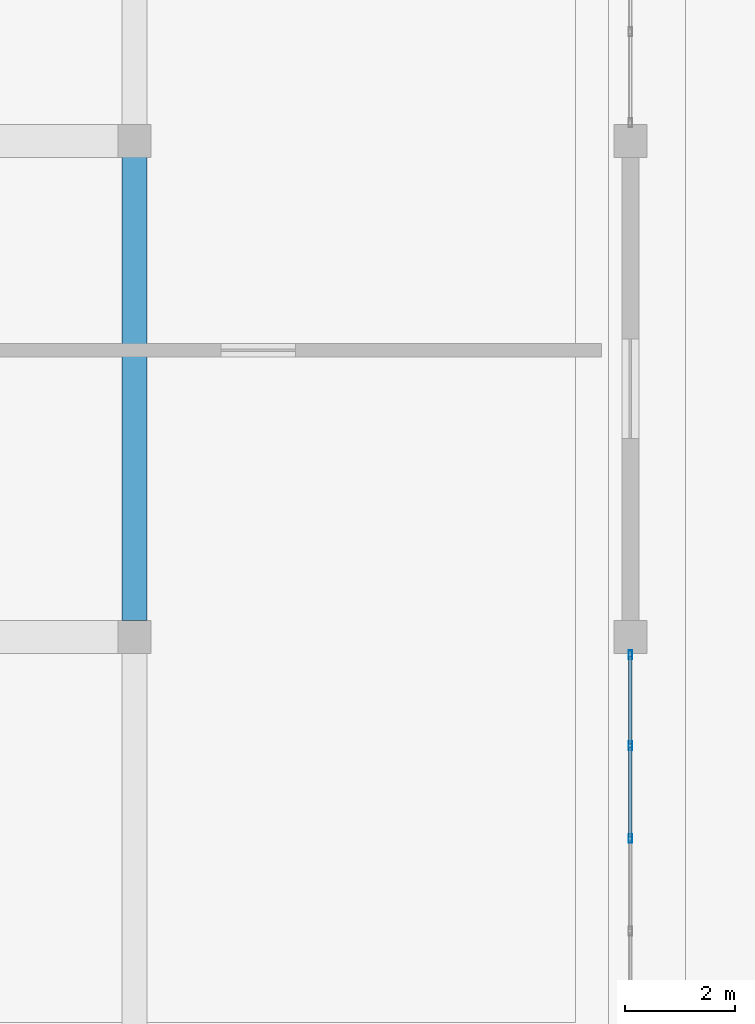
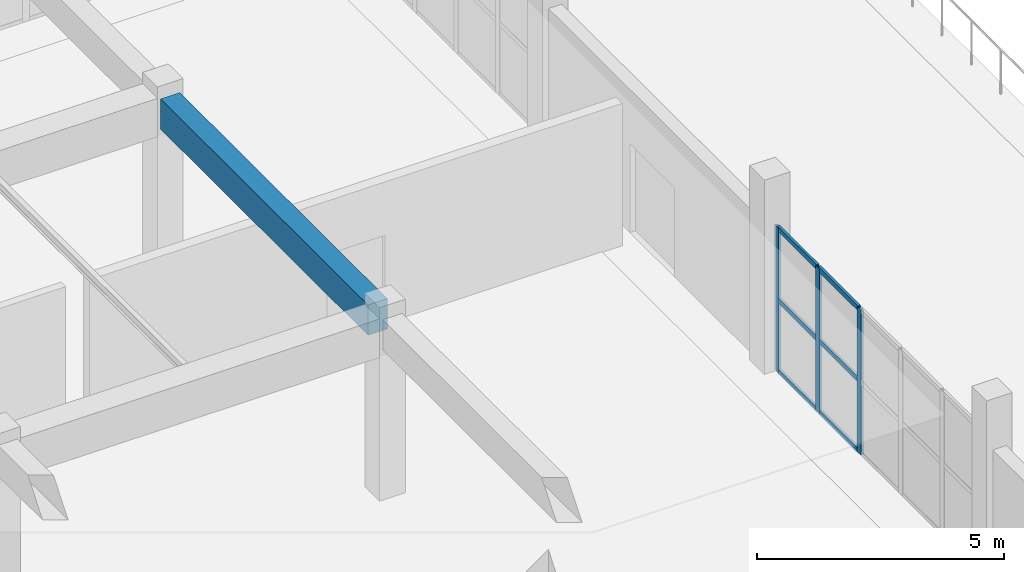
# One storey, part 29 of 89: 9 members, 1 beam, 1 element without a shape of its own.
"""IFC4 building model written with IfcOpenShell, lengths in metres."""

from ifc_helpers import new_model, si_unit, direction, frame, origin, origin_2d, place, context, subcontext, project, spatial, rectangle, hollow_rectangle, extrude, material, layer, layer_set, material_profile, profile_set, type_object, element, aggregate, save


model = new_model("IFC4")

# Units and contexts
model_context = context("Model", 3, precision=1e-05, world=origin(), true_north=direction((0.0, 1.0)))
body_context = subcontext(model_context, "Body", "Model", "MODEL_VIEW")
ifc_project = project(units=[si_unit("LENGTHUNIT", "METRE"), si_unit("AREAUNIT", "SQUARE_METRE"), si_unit("VOLUMEUNIT", "CUBIC_METRE"), si_unit("PLANEANGLEUNIT", "RADIAN"), si_unit("MASSUNIT", "GRAM", prefix="KILO")], contexts=[model_context])

# Site, building, storey
site_placement = place(None, origin())
site = spatial("IfcSite", under=ifc_project, at=site_placement, CompositionType="ELEMENT")
building_placement = place(site_placement, origin())
building = spatial("IfcBuilding", under=site, at=building_placement, Name="Dornveld Trade and Exhibition Forum", CompositionType="ELEMENT")
storey_placement = place(building_placement, frame((0.0, 0.0, 12.0)))
storey = spatial("IfcBuildingStorey", under=building, at=storey_placement, Name="L02", CompositionType="ELEMENT", Elevation=12.0)

# Beam
ifc_material_1 = material(Name="Precast concrete C50/60", Category="concrete")
ifc_material_profile_1 = material_profile(ifc_material_1, rectangle(XDim=0.449951171875, YDim=0.75, at=origin_2d()), Name="PC-BM 450x750")
ifc_profile_set_1 = profile_set([ifc_material_profile_1], Name="Precast concrete C50/60")
beam_type = type_object("IfcBeamType", Name="BM-PC-450x750", PredefinedType="BEAM", material=ifc_profile_set_1)
beam_placement = place(storey_placement, frame((216.0, 36.2958984375, 4.10302734375), z_axis=(0.0, 1.0, 0.0), x_axis=(-1.0, 0.0, 0.0)))
element("IfcBeam", 1, at=beam_placement, inside=storey, type_object=beam_type, Name="L02 Y-girder 1574", PredefinedType="BEAM", context=body_context, shape_type="SweptSolid", body=[
    extrude(rectangle(XDim=0.449951171875, YDim=0.75, at=origin_2d()), origin(), (0.0, 0.0, 1.0), 8.408203125),
])

# Curtain wall, members
ifc_material_2 = material(Name="Dark-bronze anodised aluminium and low-E glass", Category="aluminium")
ifc_layer = layer(ifc_material_2, 0.159912109375)
ifc_layer_set = layer_set([ifc_layer], Name="Dark-bronze anodised aluminium and low-E glass")
curtain_wall_type = type_object("IfcCurtainWallType", Name="CW-SYS-06", PredefinedType="USERDEFINED", material=ifc_layer_set)
curtain_wall_placement = place(storey_placement, origin())
curtain_wall = element("IfcCurtainWall", 2, at=curtain_wall_placement, inside=storey, type_object=curtain_wall_type, Name="L02 unitised curtain wall 78", ObjectType="UNITISED_CURTAIN_WALL", PredefinedType="USERDEFINED")
ifc_material_3 = material(Name="Dark-bronze anodised aluminium", Category="aluminium")
ifc_material_profile_2 = material_profile(ifc_material_3, hollow_rectangle(XDim=0.06005859375, YDim=0.159912109375, WallThickness=0.00390625, at=origin_2d()), Name="RHS 160x60x4")
ifc_profile_set_2 = profile_set([ifc_material_profile_2], Name="Dark-bronze anodised aluminium")
member_type_1 = type_object("IfcMemberType", Name="CW-MUL-160", PredefinedType="MULLION", material=ifc_profile_set_2)
member_1_placement = place(storey_placement, frame((225.0, 32.3408203125, -0.00390625), z_axis=(0.0, 0.0, 1.0), x_axis=(-1.0, 0.0, 0.0)))
member_1 = element("IfcMember", 3, at=member_1_placement, type_object=member_type_1, Name="CW-06 mullion 4", PredefinedType="MULLION", context=body_context, shape_type="SweptSolid", body=[
    extrude(hollow_rectangle(XDim=0.06005859375, YDim=0.159912109375, WallThickness=0.00390625, at=origin_2d()), origin(), (0.0, 0.0, 1.0), 3.583984375),
])
member_2_placement = place(storey_placement, frame((225.0, 34.0224609375, -0.00390625), z_axis=(0.0, 0.0, 1.0), x_axis=(-1.0, 0.0, 0.0)))
member_2 = element("IfcMember", 4, at=member_2_placement, type_object=member_type_1, Name="CW-06 mullion 5", PredefinedType="MULLION", context=body_context, shape_type="SweptSolid", body=[
    extrude(hollow_rectangle(XDim=0.06005859375, YDim=0.159912109375, WallThickness=0.00390625, at=origin_2d()), origin(), (0.0, 0.0, 1.0), 3.583984375),
])
member_3_placement = place(storey_placement, frame((225.0, 35.674072265625, -0.00390625), z_axis=(0.0, 0.0, 1.0), x_axis=(-1.0, 0.0, 0.0)))
member_3 = element("IfcMember", 5, at=member_3_placement, type_object=member_type_1, Name="CW-06 mullion 6", PredefinedType="MULLION", context=body_context, shape_type="SweptSolid", body=[
    extrude(hollow_rectangle(XDim=0.06005859375, YDim=0.159912109375, WallThickness=0.00390625, at=origin_2d()), origin(), (0.0, 0.0, 1.0), 3.583984375),
])
ifc_material_4 = material(Name="Dark-bronze anodised aluminium", Category="aluminium")
ifc_material_profile_3 = material_profile(ifc_material_4, hollow_rectangle(XDim=0.06005859375, YDim=0.1201171875, WallThickness=0.00390625, at=origin_2d()), Name="RHS 120x60x4")
ifc_profile_set_3 = profile_set([ifc_material_profile_3], Name="Dark-bronze anodised aluminium")
member_type_2 = type_object("IfcMemberType", Name="CW-TRN-120", PredefinedType="USERDEFINED", material=ifc_profile_set_3)
member_4_placement = place(storey_placement, frame((225.0, 32.370849609375, 0.02587890625), z_axis=(0.0, 1.0, 0.0), x_axis=(-1.0, 0.0, 0.0)))
member_4 = element("IfcMember", 6, at=member_4_placement, type_object=member_type_2, Name="CW-06 transom 4.1", ObjectType="TRANSOM", PredefinedType="USERDEFINED", context=body_context, shape_type="SweptSolid", body=[
    extrude(hollow_rectangle(XDim=0.06005859375, YDim=0.1201171875, WallThickness=0.00390625, at=origin_2d()), origin(), (0.0, 0.0, 1.0), 1.62158203125),
])
member_5_placement = place(storey_placement, frame((225.0, 32.370849609375, 1.7880859375), z_axis=(0.0, 1.0, 0.0), x_axis=(-1.0, 0.0, 0.0)))
member_5 = element("IfcMember", 7, at=member_5_placement, type_object=member_type_2, Name="CW-06 transom 4.2", ObjectType="TRANSOM", PredefinedType="USERDEFINED", context=body_context, shape_type="SweptSolid", body=[
    extrude(hollow_rectangle(XDim=0.06005859375, YDim=0.1201171875, WallThickness=0.00390625, at=origin_2d()), origin(), (0.0, 0.0, 1.0), 1.62158203125),
])
member_6_placement = place(storey_placement, frame((225.0, 32.370849609375, 3.550048828125), z_axis=(0.0, 1.0, 0.0), x_axis=(-1.0, 0.0, 0.0)))
member_6 = element("IfcMember", 8, at=member_6_placement, type_object=member_type_2, Name="CW-06 transom 4.3", ObjectType="TRANSOM", PredefinedType="USERDEFINED", context=body_context, shape_type="SweptSolid", body=[
    extrude(hollow_rectangle(XDim=0.06005859375, YDim=0.1201171875, WallThickness=0.00390625, at=origin_2d()), origin(), (0.0, 0.0, 1.0), 1.62158203125),
])
member_7_placement = place(storey_placement, frame((225.0, 34.052490234375, 0.02587890625), z_axis=(0.0, 1.0, 0.0), x_axis=(-1.0, 0.0, 0.0)))
member_7 = element("IfcMember", 9, at=member_7_placement, type_object=member_type_2, Name="CW-06 transom 5.1", ObjectType="TRANSOM", PredefinedType="USERDEFINED", context=body_context, shape_type="SweptSolid", body=[
    extrude(hollow_rectangle(XDim=0.06005859375, YDim=0.1201171875, WallThickness=0.00390625, at=origin_2d()), origin(), (0.0, 0.0, 1.0), 1.591552734375),
])
member_8_placement = place(storey_placement, frame((225.0, 34.052490234375, 1.7880859375), z_axis=(0.0, 1.0, 0.0), x_axis=(-1.0, 0.0, 0.0)))
member_8 = element("IfcMember", 10, at=member_8_placement, type_object=member_type_2, Name="CW-06 transom 5.2", ObjectType="TRANSOM", PredefinedType="USERDEFINED", context=body_context, shape_type="SweptSolid", body=[
    extrude(hollow_rectangle(XDim=0.06005859375, YDim=0.1201171875, WallThickness=0.00390625, at=origin_2d()), origin(), (0.0, 0.0, 1.0), 1.591552734375),
])
member_9_placement = place(storey_placement, frame((225.0, 34.052490234375, 3.550048828125), z_axis=(0.0, 1.0, 0.0), x_axis=(-1.0, 0.0, 0.0)))
member_9 = element("IfcMember", 11, at=member_9_placement, type_object=member_type_2, Name="CW-06 transom 5.3", ObjectType="TRANSOM", PredefinedType="USERDEFINED", context=body_context, shape_type="SweptSolid", body=[
    extrude(hollow_rectangle(XDim=0.06005859375, YDim=0.1201171875, WallThickness=0.00390625, at=origin_2d()), origin(), (0.0, 0.0, 1.0), 1.591552734375),
])
aggregate(curtain_wall, [member_1, member_2, member_3, member_4, member_5, member_6, member_7, member_8, member_9])

save(model, "model.ifc")
